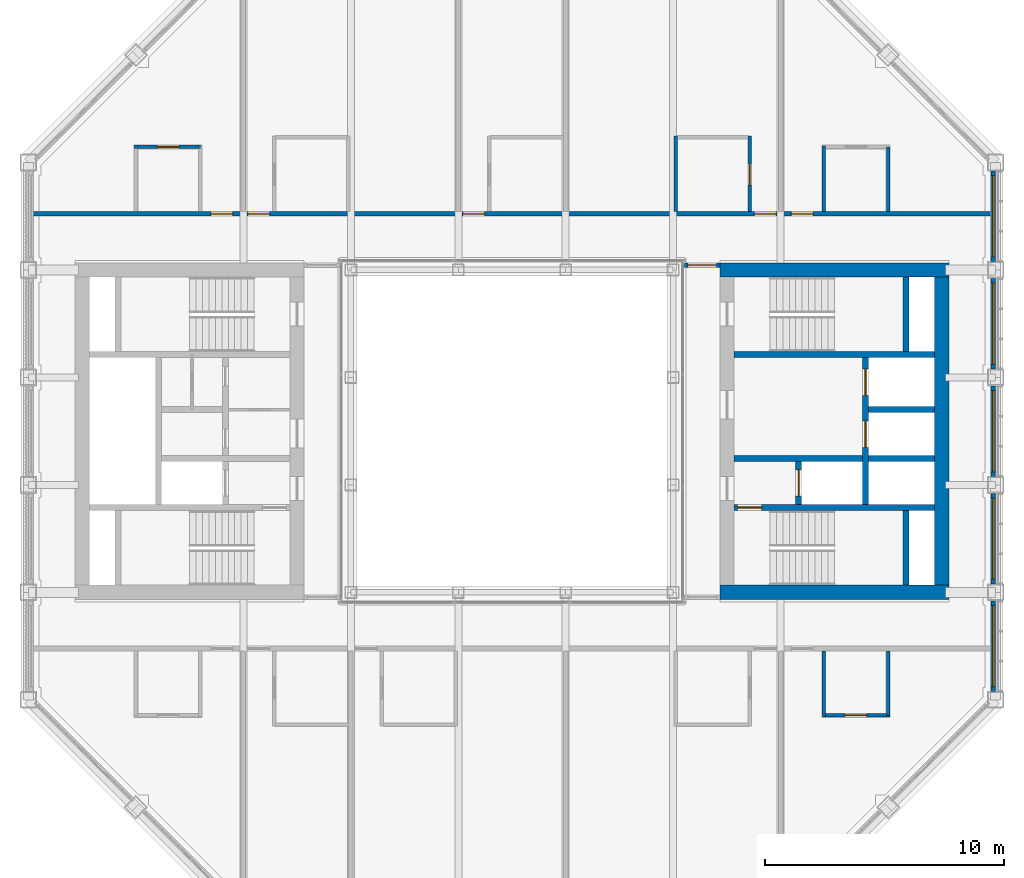
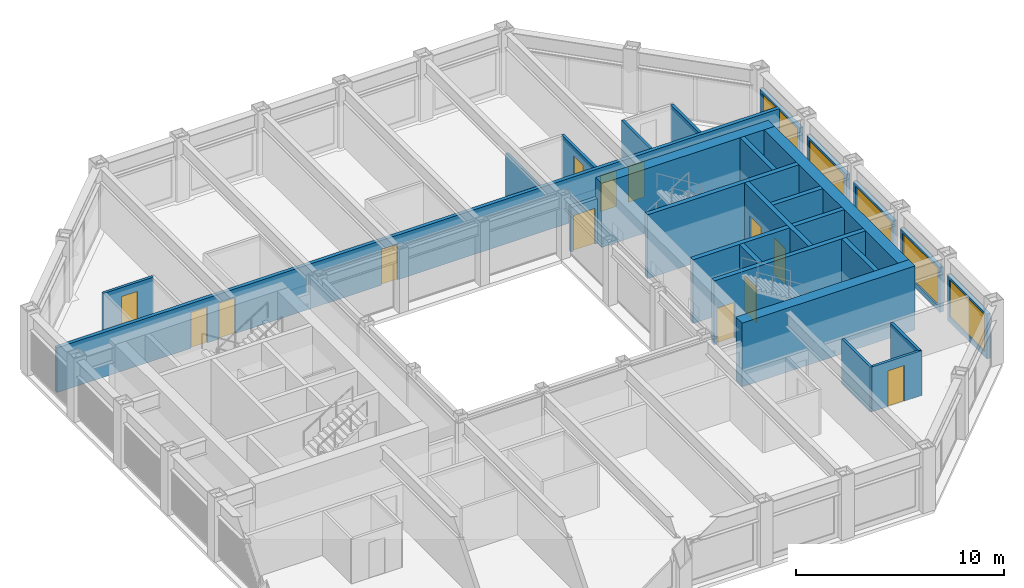
# One storey, part 11 of 16: 27 walls, 13 doors, 5 windows, 18 openings.
"""IFC4 building model written with IfcOpenShell, lengths in metres."""

import ifcopenshell
import ifcopenshell.guid

model = None  # the IFC model being written
_history = None  # IfcOwnerHistory: only IFC2X3 demands one
_inside = {}  # id of a spatial element -> (the spatial element, [elements in it])
_under = {}  # id of a project, library or spatial element -> (it, [spatial elements below it])
_declared = {}  # id of a project -> (the project, [libraries it declares])
_typed = {}  # id of a type object -> (the type object, [elements of that type])
_made_of = {}  # id of a material, layer set ... -> (it, [elements and type objects made of it])


def new_model(schema):
    """Start an empty IFC model of exactly this schema.

    Asked for "IFC4X3", IfcOpenShell would pick the latest addendum, in which some entities
    have other attributes; the version numbers below select the first issue.
    IFC2X3 requires an IfcOwnerHistory on every rooted entity: one is made here for all.
    """
    global model, _history
    if schema == "IFC4X3":
        model = ifcopenshell.file(schema_version=(4, 3, 0, 0))
    else:
        model = ifcopenshell.file(schema=schema)
    _inside.clear()
    _under.clear()
    _declared.clear()
    _typed.clear()
    _made_of.clear()
    _history = None
    if model.schema == "IFC2X3":
        org = make("IfcOrganization", Name="unknown")
        user = make(
            "IfcPersonAndOrganization",
            ThePerson=make("IfcPerson", FamilyName="unknown"),
            TheOrganization=org,
        )
        app = make(
            "IfcApplication",
            ApplicationDeveloper=org,
            Version="unknown",
            ApplicationFullName="unknown",
            ApplicationIdentifier="unknown",
        )
        _history = make(
            "IfcOwnerHistory",
            OwningUser=user,
            OwningApplication=app,
            ChangeAction="ADDED",
            CreationDate=0,
        )
    return model


def make(cls, **values):
    """One entity of the class cls with the attributes given. An attribute that is None is left unset."""
    return model.create_entity(
        cls, **{name: value for name, value in values.items() if value is not None}
    )


def rooted(cls, **values):
    """An entity with a GlobalId (a new one), such as an element, a storey or a relation."""
    return make(cls, GlobalId=ifcopenshell.guid.new(), OwnerHistory=_history, **values)


def si_unit(unit_type, name, prefix=None):
    """IfcSIUnit, for example si_unit("LENGTHUNIT", "METRE", prefix="MILLI")."""
    return make("IfcSIUnit", UnitType=unit_type, Prefix=prefix, Name=name)


def assignment(units):
    """IfcUnitAssignment: the units of a project."""
    return None if units is None else make("IfcUnitAssignment", Units=units)


def point(xyz):
    """IfcCartesianPoint."""
    return None if xyz is None else make("IfcCartesianPoint", Coordinates=xyz)


def direction(xyz):
    """IfcDirection."""
    return None if xyz is None else make("IfcDirection", DirectionRatios=xyz)


def frame(location, z_axis=None, x_axis=None):
    """IfcAxis2Placement3D, a coordinate frame: its origin and axes. An axis left out is left unset."""
    return make(
        "IfcAxis2Placement3D",
        Location=point(location),
        Axis=direction(z_axis),
        RefDirection=direction(x_axis),
    )


def frame_2d(location, x_axis=None):
    """IfcAxis2Placement2D, a coordinate frame in the plane: its origin and x axis."""
    return make(
        "IfcAxis2Placement2D", Location=point(location), RefDirection=direction(x_axis)
    )


def origin():
    """The frame at (0, 0, 0) with its axes left unset."""
    return frame((0.0, 0.0, 0.0))


def place(relative_to, where):
    """IfcLocalPlacement: puts the frame where relative to a parent placement (None: the world)."""
    return make(
        "IfcLocalPlacement", PlacementRelTo=relative_to, RelativePlacement=where
    )


def context(
    kind, dimensions, precision=None, world=None, true_north=None, identifier=None
):
    """IfcGeometricRepresentationContext, for example the 3D "Model" context."""
    return make(
        "IfcGeometricRepresentationContext",
        ContextIdentifier=identifier,
        ContextType=kind,
        CoordinateSpaceDimension=dimensions,
        Precision=precision,
        WorldCoordinateSystem=world,
        TrueNorth=true_north,
    )


def subcontext(parent, identifier, kind, view, scale=None):
    """IfcGeometricRepresentationSubContext, for example "Body" below "Model"."""
    return make(
        "IfcGeometricRepresentationSubContext",
        ContextIdentifier=identifier,
        ContextType=kind,
        ParentContext=parent,
        TargetScale=scale,
        TargetView=view,
    )


def project(units=None, contexts=None):
    """IfcProject with its units and contexts."""
    return rooted(
        "IfcProject",
        Name="project",
        RepresentationContexts=contexts,
        UnitsInContext=assignment(units),
    )


def spatial(cls, under=None, at=None, **own):
    """A site, building, storey or space (cls), placed at a placement, below another one or the project."""
    s = rooted(cls, ObjectPlacement=at, **own)
    if under is not None:
        _under.setdefault(under.id(), (under, []))[1].append(s)
    return s


def profile(cls, at=None, kind="AREA", **sizes):
    """A parametric profile (cls). Its sizes go by their IFC names, for example OverallWidth=200.0."""
    return make(cls, ProfileType=kind, Position=at, **sizes)


def rectangle(**sizes):
    """IfcRectangleProfileDef."""
    return profile("IfcRectangleProfileDef", **sizes)


def extrude(swept, where, along, depth):
    """IfcExtrudedAreaSolid: the profile swept, set in the frame where, extruded along a direction by depth."""
    return make(
        "IfcExtrudedAreaSolid",
        SweptArea=swept,
        Position=where,
        ExtrudedDirection=direction(along),
        Depth=depth,
    )


def shape(context_of_items, identifier, shape_type, items):
    """IfcShapeRepresentation: the items that make up one representation, for example the "Body"."""
    return make(
        "IfcShapeRepresentation",
        ContextOfItems=context_of_items,
        RepresentationIdentifier=identifier,
        RepresentationType=shape_type,
        Items=items,
    )


def material(Name=None, Category=None):
    """IfcMaterial."""
    return make("IfcMaterial", Name=Name, Category=Category)


def layer(
    of_material, thickness, ventilated=None, Name=None, Category=None, Priority=None
):
    """IfcMaterialLayer: one layer of a wall or slab, of a material (None: an air gap)."""
    return make(
        "IfcMaterialLayer",
        Material=of_material,
        LayerThickness=thickness,
        IsVentilated=ventilated,
        Name=Name,
        Category=Category,
        Priority=Priority,
    )


def layer_set(layers, Name=None):
    """IfcMaterialLayerSet."""
    return make("IfcMaterialLayerSet", MaterialLayers=layers, LayerSetName=Name)


def made_of(thing, what):
    """Note that an element or type object is made of a material, layer set ...; save() writes the relation."""
    if what is not None:
        _made_of.setdefault(what.id(), (what, []))[1].append(thing)
    return thing


def type_object(cls, material=None, **own):
    """A type object (cls), such as IfcWallType, which elements share."""
    return made_of(rooted(cls, **own), material)


def element(
    cls,
    number,
    at=None,
    inside=None,
    cuts=None,
    type_object=None,
    material=None,
    context=None,
    identifier="Body",
    shape_type=None,
    held_by="IfcProductDefinitionShape",
    body=None,
    shapes=None,
    **own,
):
    """One element of the class cls, such as IfcWall. Its Tag is "e" and its number.

    at: its placement. inside: the storey or other place that contains it. cuts: it is an
    opening in that element (IfcRelVoidsElement). A single representation is given by context,
    identifier, shape_type and body (its items); several are given by shapes. held_by: the class
    of the entity that holds the representations. save() writes the other relations.
    """
    e = rooted(cls, Tag="e%d" % number, ObjectPlacement=at, **own)
    if body is not None:
        shapes = [shape(context, identifier, shape_type, body)]
    if shapes is not None:
        e.Representation = make(held_by, Representations=shapes)
    if inside is not None:
        _inside.setdefault(inside.id(), (inside, []))[1].append(e)
    if cuts is not None:
        rooted(
            "IfcRelVoidsElement", RelatingBuildingElement=cuts, RelatedOpeningElement=e
        )
    if type_object is not None:
        _typed.setdefault(type_object.id(), (type_object, []))[1].append(e)
    return made_of(e, material)


def fill(opening, filler):
    """IfcRelFillsElement: the door or window that sits in an opening."""
    return rooted(
        "IfcRelFillsElement",
        RelatingOpeningElement=opening,
        RelatedBuildingElement=filler,
    )


def aggregate(whole, parts):
    """IfcRelAggregates: a whole, such as a stair, and the parts it consists of."""
    return rooted("IfcRelAggregates", RelatingObject=whole, RelatedObjects=parts)


def save(model, path):
    """Write the relations noted so far, then the file.

    IfcRelAggregates (storeys below a building ...), IfcRelContainedInSpatialStructure (elements
    in a storey), IfcRelDefinesByType, IfcRelAssociatesMaterial and IfcRelDeclares: one each for
    every whole, place, type object, material and project.
    """
    for whole, parts in _under.values():
        aggregate(whole, parts)
    for where, things in _inside.values():
        rooted(
            "IfcRelContainedInSpatialStructure",
            RelatedElements=things,
            RelatingStructure=where,
        )
    for kind, things in _typed.values():
        rooted("IfcRelDefinesByType", RelatedObjects=things, RelatingType=kind)
    for what, things in _made_of.values():
        rooted("IfcRelAssociatesMaterial", RelatedObjects=things, RelatingMaterial=what)
    for by, libraries in _declared.values():
        rooted("IfcRelDeclares", RelatingContext=by, RelatedDefinitions=libraries)
    model.write(path)


model = new_model("IFC4")

# Units and contexts
model_context = context("Model", 3, precision=1e-05, world=origin(), true_north=direction((0.0, 1.0)))
body_context = subcontext(model_context, "Body", "Model", "MODEL_VIEW")
ifc_project = project(units=[si_unit("LENGTHUNIT", "METRE"), si_unit("AREAUNIT", "SQUARE_METRE"), si_unit("VOLUMEUNIT", "CUBIC_METRE"), si_unit("PLANEANGLEUNIT", "RADIAN"), si_unit("MASSUNIT", "GRAM", prefix="KILO")], contexts=[model_context])

# Site, building, storey
site_placement = place(None, origin())
site = spatial("IfcSite", under=ifc_project, at=site_placement, CompositionType="ELEMENT")
building_placement = place(site_placement, origin())
building = spatial("IfcBuilding", under=site, at=building_placement, Name="Msasa Ring Tower", CompositionType="ELEMENT")
storey_placement = place(building_placement, frame((0.0, 0.0, 215.800048828125)))
storey = spatial("IfcBuildingStorey", under=building, at=storey_placement, Name="L56", CompositionType="ELEMENT", Elevation=215.800048828125)

# Walls
ifc_material_1 = material(Name="Concrete C60/75", Category="concrete")
ifc_layer_1 = layer(ifc_material_1, 0.60009765625)
ifc_layer_set_1 = layer_set([ifc_layer_1], Name="CW3 CORE WALL 600")
wall_type_1 = type_object("IfcWallType", Name="CW3 CORE WALL 600", PredefinedType="SHEAR", material=ifc_layer_set_1)
for number, where, z_axis, x_axis, name in (
    (1, (8.699951171875, -6.75, 0.0), (0.0, 0.0, 1.0), (1.0, 0.0, 0.0), "E core wall S L56"),
    (2, (8.699951171875, 6.75, 0.0), (0.0, 0.0, 1.0), (1.0, 0.0, 0.0), "E core wall N L56"),
):
    element("IfcWall", number, at=place(storey_placement, frame(where, z_axis=z_axis, x_axis=x_axis)), inside=storey, type_object=wall_type_1, Name=name, PredefinedType="SHEAR", context=body_context, shape_type="SweptSolid", body=[
        extrude(rectangle(XDim=9.60009765625, YDim=0.60009765625, at=frame_2d((4.800048828125, 0.0))), origin(), (0.0, 0.0, 1.0), 3.75),
    ])
wall_1_placement = place(storey_placement, frame((18.0, -6.449951171875, 0.0), z_axis=(0.0, 0.0, 1.0), x_axis=(0.0, 1.0, 0.0)))
element("IfcWall", 3, at=wall_1_placement, inside=storey, type_object=wall_type_1, Name="E core wall E L56", PredefinedType="SHEAR", context=body_context, shape_type="SweptSolid", body=[
    extrude(rectangle(XDim=12.89990234375, YDim=0.60009765625, at=frame_2d((6.449951171875, 0.0))), origin(), (0.0, 0.0, 1.0), 3.75),
])

# Wall, opening, door
ifc_material_2 = material(Name="Concrete C60/75", Category="concrete")
ifc_layer_2 = layer(ifc_material_2, 0.25)
ifc_layer_set_2 = layer_set([ifc_layer_2], Name="CW4 CORE INNER WALL 250")
wall_type_2 = type_object("IfcWallType", Name="CW4 CORE INNER WALL 250", PredefinedType="SHEAR", material=ifc_layer_set_2)
wall_2_placement = place(storey_placement, frame((9.300048828125, -3.199951171875, 0.0), z_axis=(0.0, 0.0, 1.0), x_axis=(1.0, 0.0, 0.0)))
wall_2 = element("IfcWall", 4, at=wall_2_placement, inside=storey, type_object=wall_type_2, Name="E core wall STAIRA L56", PredefinedType="SHEAR", context=body_context, shape_type="SweptSolid", body=[
    extrude(rectangle(XDim=8.39990234375, YDim=0.25, at=frame_2d((4.199951171875, 0.0))), origin(), (0.0, 0.0, 1.0), 3.75),
])
opening_1_placement = place(wall_2_placement, frame((0.14990234375, 0.0, 0.0)))
opening_1 = element("IfcOpeningElement", 5, at=opening_1_placement, cuts=wall_2, Name="Opening SB-024", PredefinedType="OPENING", context=body_context, shape_type="SweptSolid", body=[
    extrude(rectangle(XDim=1.0, YDim=2.10009765625, at=frame_2d((0.5, 1.050048828125))), frame((0.0, 0.135009765625, 0.0), z_axis=(0.0, -1.0, 0.0), x_axis=(1.0, 0.0, 0.0)), (0.0, 0.0, 1.0), 0.27001953125),
])
ifc_material_3 = material(Name="Timber door leaf in a steel frame", Category="steel")
door_type_1 = type_object("IfcDoorType", Name="D6 STAIR DOOR 1000x2100", OperationType="SINGLE_SWING_LEFT", PredefinedType="DOOR", material=ifc_material_3)
door_1_placement = place(opening_1_placement, origin())
door_1 = element("IfcDoor", 6, at=door_1_placement, inside=storey, type_object=door_type_1, Name="Door L56-ESTA", OperationType="SINGLE_SWING_LEFT", OverallHeight=2.10009765625, OverallWidth=1.0, PredefinedType="DOOR", context=body_context, shape_type="SweptSolid", body=[
    extrude(rectangle(XDim=1.0, YDim=2.10009765625, at=frame_2d((0.5, 1.050048828125))), frame((0.0, 0.02490234375, 0.0), z_axis=(0.0, -1.0, 0.0), x_axis=(1.0, 0.0, 0.0)), (0.0, 0.0, 1.0), 0.050048828125),
])
fill(opening_1, door_1)

# Walls
wall_3_placement = place(storey_placement, frame((9.300048828125, 3.199951171875, 0.0), z_axis=(0.0, 0.0, 1.0), x_axis=(1.0, 0.0, 0.0)))
element("IfcWall", 7, at=wall_3_placement, inside=storey, type_object=wall_type_2, Name="E core wall STAIRB L56", PredefinedType="SHEAR", context=body_context, shape_type="SweptSolid", body=[
    extrude(rectangle(XDim=8.39990234375, YDim=0.25, at=frame_2d((4.199951171875, 0.0))), origin(), (0.0, 0.0, 1.0), 3.75),
])
for number, where, z_axis, x_axis, name in (
    (8, (16.5, -6.449951171875, 0.0), (0.0, 0.0, 1.0), (0.0, 1.0, 0.0), "E core wall RISERA L56"),
    (9, (16.5, 3.324951171875, 0.0), (0.0, 0.0, 1.0), (0.0, 1.0, 0.0), "E core wall RISERB L56"),
):
    element("IfcWall", number, at=place(storey_placement, frame(where, z_axis=z_axis, x_axis=x_axis)), inside=storey, type_object=wall_type_2, Name=name, PredefinedType="SHEAR", context=body_context, shape_type="SweptSolid", body=[
        extrude(rectangle(XDim=3.125, YDim=0.25, at=frame_2d((1.5625, 0.0))), origin(), (0.0, 0.0, 1.0), 3.75),
    ])
wall_4_placement = place(storey_placement, frame((9.300048828125, -1.14990234375, 0.0), z_axis=(0.0, 0.0, 1.0), x_axis=(1.0, 0.0, 0.0)))
element("IfcWall", 10, at=wall_4_placement, inside=storey, type_object=wall_type_2, Name="E core wall FFL L56", PredefinedType="SHEAR", context=body_context, shape_type="SweptSolid", body=[
    extrude(rectangle(XDim=5.375, YDim=0.25, at=frame_2d((2.6875, 0.0))), origin(), (0.0, 0.0, 1.0), 3.75),
])

# Wall, opening, door
wall_5_placement = place(storey_placement, frame((12.0, -3.074951171875, 0.0), z_axis=(0.0, 0.0, 1.0), x_axis=(0.0, 1.0, 0.0)))
wall_5 = element("IfcWall", 11, at=wall_5_placement, inside=storey, type_object=wall_type_2, Name="E core wall LOBBY L56", PredefinedType="SHEAR", context=body_context, shape_type="SweptSolid", body=[
    extrude(rectangle(XDim=1.800048828125, YDim=0.25, at=frame_2d((0.89990234375, 0.0))), origin(), (0.0, 0.0, 1.0), 3.75),
])
opening_2_placement = place(wall_5_placement, frame((0.35009765625, 0.0, 0.0)))
opening_2 = element("IfcOpeningElement", 12, at=opening_2_placement, cuts=wall_5, Name="Opening LD1", PredefinedType="OPENING", context=body_context, shape_type="SweptSolid", body=[
    extrude(rectangle(XDim=1.10009765625, YDim=2.10009765625, at=frame_2d((0.550048828125, 1.050048828125))), frame((0.0, 0.135009765625, 0.0), z_axis=(0.0, -1.0, 0.0), x_axis=(1.0, 0.0, 0.0)), (0.0, 0.0, 1.0), 0.27001953125),
])
ifc_material_4 = material(Name="Stainless steel lift landing door", Category="steel")
door_type_2 = type_object("IfcDoorType", Name="LD1 LIFT LANDING DOOR 1100x2100", OperationType="DOUBLE_DOOR_SLIDING", PredefinedType="DOOR", material=ifc_material_4)
door_2_placement = place(opening_2_placement, origin())
door_2 = element("IfcDoor", 13, at=door_2_placement, inside=storey, type_object=door_type_2, Name="Lift landing door FL-E L56", OperationType="DOUBLE_DOOR_SLIDING", OverallHeight=2.10009765625, OverallWidth=1.10009765625, PredefinedType="DOOR", context=body_context, shape_type="SweptSolid", body=[
    extrude(rectangle(XDim=1.10009765625, YDim=2.10009765625, at=frame_2d((0.550048828125, 1.050048828125))), frame((0.0, 0.02490234375, 0.0), z_axis=(0.0, -1.0, 0.0), x_axis=(1.0, 0.0, 0.0)), (0.0, 0.0, 1.0), 0.050048828125),
])
fill(opening_2, door_2)

# Wall, openings, doors
wall_6_placement = place(storey_placement, frame((14.800048828125, -3.074951171875, 0.0), z_axis=(0.0, 0.0, 1.0), x_axis=(0.0, 1.0, 0.0)))
wall_6 = element("IfcWall", 14, at=wall_6_placement, inside=storey, type_object=wall_type_2, Name="E core wall SHAFT L56", PredefinedType="SHEAR", context=body_context, shape_type="SweptSolid", body=[
    extrude(rectangle(XDim=6.14990234375, YDim=0.25, at=frame_2d((3.074951171875, 0.0))), origin(), (0.0, 0.0, 1.0), 3.75),
])
opening_3_placement = place(wall_6_placement, frame((2.39990234375, 0.0, 0.0)))
opening_3 = element("IfcOpeningElement", 15, at=opening_3_placement, cuts=wall_6, Name="Opening LD1", PredefinedType="OPENING", context=body_context, shape_type="SweptSolid", body=[
    extrude(rectangle(XDim=1.10009765625, YDim=2.10009765625, at=frame_2d((0.550048828125, 1.050048828125))), frame((0.0, 0.135009765625, 0.0), z_axis=(0.0, -1.0, 0.0), x_axis=(1.0, 0.0, 0.0)), (0.0, 0.0, 1.0), 0.27001953125),
])
opening_4_placement = place(wall_6_placement, frame((4.574951171875, 0.0, 0.0)))
opening_4 = element("IfcOpeningElement", 16, at=opening_4_placement, cuts=wall_6, Name="Opening LD1", PredefinedType="OPENING", context=body_context, shape_type="SweptSolid", body=[
    extrude(rectangle(XDim=1.10009765625, YDim=2.10009765625, at=frame_2d((0.550048828125, 1.050048828125))), frame((0.0, 0.135009765625, 0.0), z_axis=(0.0, -1.0, 0.0), x_axis=(1.0, 0.0, 0.0)), (0.0, 0.0, 1.0), 0.27001953125),
])
door_3_placement = place(opening_3_placement, origin())
door_3 = element("IfcDoor", 17, at=door_3_placement, inside=storey, type_object=door_type_2, Name="Lift landing door PL-H1 L56", OperationType="DOUBLE_DOOR_SLIDING", OverallHeight=2.10009765625, OverallWidth=1.10009765625, PredefinedType="DOOR", context=body_context, shape_type="SweptSolid", body=[
    extrude(rectangle(XDim=1.10009765625, YDim=2.10009765625, at=frame_2d((0.550048828125, 1.050048828125))), frame((0.0, 0.02490234375, 0.0), z_axis=(0.0, -1.0, 0.0), x_axis=(1.0, 0.0, 0.0)), (0.0, 0.0, 1.0), 0.050048828125),
])
fill(opening_3, door_3)
door_4_placement = place(opening_4_placement, origin())
door_4 = element("IfcDoor", 18, at=door_4_placement, inside=storey, type_object=door_type_2, Name="Lift landing door PL-H2 L56", OperationType="DOUBLE_DOOR_SLIDING", OverallHeight=2.10009765625, OverallWidth=1.10009765625, PredefinedType="DOOR", context=body_context, shape_type="SweptSolid", body=[
    extrude(rectangle(XDim=1.10009765625, YDim=2.10009765625, at=frame_2d((0.550048828125, 1.050048828125))), frame((0.0, 0.02490234375, 0.0), z_axis=(0.0, -1.0, 0.0), x_axis=(1.0, 0.0, 0.0)), (0.0, 0.0, 1.0), 0.050048828125),
])
fill(opening_4, door_4)

# Walls
for number, where, z_axis, x_axis, name in (
    (19, (14.925048828125, -1.14990234375, 0.0), (0.0, 0.0, 1.0), (1.0, 0.0, 0.0), "E core wall HSEP L56"),
    (20, (14.925048828125, 0.89990234375, 0.0), (0.0, 0.0, 1.0), (1.0, 0.0, 0.0), "E core wall HLIFT L56"),
):
    element("IfcWall", number, at=place(storey_placement, frame(where, z_axis=z_axis, x_axis=x_axis)), inside=storey, type_object=wall_type_2, Name=name, PredefinedType="SHEAR", context=body_context, shape_type="SweptSolid", body=[
        extrude(rectangle(XDim=2.77490234375, YDim=0.25, at=frame_2d((1.387451171875, 0.0))), origin(), (0.0, 0.0, 1.0), 3.75),
    ])

# Wall, opening, window
ifc_material_5 = material(Name="Terracotta rainscreen on blockwork", Category="masonry")
ifc_layer_3 = layer(ifc_material_5, 0.199951171875)
ifc_layer_set_3 = layer_set([ifc_layer_3], Name="FW1 TERRACOTTA-LINED INFILL BAY WALL 200")
wall_type_3 = type_object("IfcWallType", Name="FW1 TERRACOTTA-LINED INFILL BAY WALL 200", PredefinedType="SOLIDWALL", material=ifc_layer_set_3)
wall_7_placement = place(storey_placement, frame((20.14990234375, -10.89501953125, 0.0), z_axis=(0.0, 0.0, 1.0), x_axis=(0.0, 1.0, 0.0)))
wall_7 = element("IfcWall", 21, at=wall_7_placement, inside=storey, type_object=wall_type_3, Name="Infill bay wall E L56 07", PredefinedType="SOLIDWALL", context=body_context, shape_type="SweptSolid", body=[
    extrude(rectangle(XDim=3.7900390625, YDim=0.199951171875, at=frame_2d((1.89501953125, 0.0))), origin(), (0.0, 0.0, 1.0), 2.62890625),
])
opening_5_placement = place(wall_7_placement, frame((0.195068359375, 0.0, 0.300048828125)))
opening_5 = element("IfcOpeningElement", 22, at=opening_5_placement, cuts=wall_7, Name="Opening WN3", PredefinedType="OPENING", context=body_context, shape_type="SweptSolid", body=[
    extrude(rectangle(XDim=3.39990234375, YDim=2.178955078125, at=frame_2d((1.699951171875, 1.08935546875))), frame((0.0, 0.10986328125, 0.0), z_axis=(0.0, -1.0, 0.0), x_axis=(1.0, 0.0, 0.0)), (0.0, 0.0, 1.0), 0.219970703125),
])
ifc_material_6 = material(Name="Aluminium frame with clear glass", Category="aluminium")
window_type = type_object("IfcWindowType", Name="WN3 SUITE WINDOW 3400x2179", PartitioningType="SINGLE_PANEL", PredefinedType="WINDOW", material=ifc_material_6)
window_1_placement = place(opening_5_placement, origin())
window_1 = element("IfcWindow", 23, at=window_1_placement, inside=storey, type_object=window_type, Name="Window E L56 07", OverallHeight=2.178955078125, OverallWidth=3.39990234375, PartitioningType="SINGLE_PANEL", PredefinedType="WINDOW", context=body_context, shape_type="SweptSolid", body=[
    extrude(rectangle(XDim=3.39990234375, YDim=2.178955078125, at=frame_2d((1.699951171875, 1.08935546875))), frame((0.0, 0.030029296875, 0.0), z_axis=(0.0, -1.0, 0.0), x_axis=(1.0, 0.0, 0.0)), (0.0, 0.0, 1.0), 0.06005859375),
])
fill(opening_5, window_1)

wall_8_placement = place(storey_placement, frame((20.14990234375, -6.39501953125, 0.0), z_axis=(0.0, 0.0, 1.0), x_axis=(0.0, 1.0, 0.0)))
wall_8 = element("IfcWall", 24, at=wall_8_placement, inside=storey, type_object=wall_type_3, Name="Infill bay wall E L56 08", PredefinedType="SOLIDWALL", context=body_context, shape_type="SweptSolid", body=[
    extrude(rectangle(XDim=3.7900390625, YDim=0.199951171875, at=frame_2d((1.89501953125, 0.0))), origin(), (0.0, 0.0, 1.0), 2.62890625),
])
opening_6_placement = place(wall_8_placement, frame((0.195068359375, 0.0, 0.300048828125)))
opening_6 = element("IfcOpeningElement", 25, at=opening_6_placement, cuts=wall_8, Name="Opening WN3", PredefinedType="OPENING", context=body_context, shape_type="SweptSolid", body=[
    extrude(rectangle(XDim=3.39990234375, YDim=2.178955078125, at=frame_2d((1.699951171875, 1.08935546875))), frame((0.0, 0.10986328125, 0.0), z_axis=(0.0, -1.0, 0.0), x_axis=(1.0, 0.0, 0.0)), (0.0, 0.0, 1.0), 0.219970703125),
])
window_2_placement = place(opening_6_placement, origin())
window_2 = element("IfcWindow", 26, at=window_2_placement, inside=storey, type_object=window_type, Name="Window E L56 08", OverallHeight=2.178955078125, OverallWidth=3.39990234375, PartitioningType="SINGLE_PANEL", PredefinedType="WINDOW", context=body_context, shape_type="SweptSolid", body=[
    extrude(rectangle(XDim=3.39990234375, YDim=2.178955078125, at=frame_2d((1.699951171875, 1.08935546875))), frame((0.0, 0.030029296875, 0.0), z_axis=(0.0, -1.0, 0.0), x_axis=(1.0, 0.0, 0.0)), (0.0, 0.0, 1.0), 0.06005859375),
])
fill(opening_6, window_2)

wall_9_placement = place(storey_placement, frame((20.14990234375, -1.89501953125, 0.0), z_axis=(0.0, 0.0, 1.0), x_axis=(0.0, 1.0, 0.0)))
wall_9 = element("IfcWall", 27, at=wall_9_placement, inside=storey, type_object=wall_type_3, Name="Infill bay wall E L56 09", PredefinedType="SOLIDWALL", context=body_context, shape_type="SweptSolid", body=[
    extrude(rectangle(XDim=3.7900390625, YDim=0.199951171875, at=frame_2d((1.89501953125, 0.0))), origin(), (0.0, 0.0, 1.0), 2.62890625),
])
opening_7_placement = place(wall_9_placement, frame((0.195068359375, 0.0, 0.300048828125)))
opening_7 = element("IfcOpeningElement", 28, at=opening_7_placement, cuts=wall_9, Name="Opening WN3", PredefinedType="OPENING", context=body_context, shape_type="SweptSolid", body=[
    extrude(rectangle(XDim=3.39990234375, YDim=2.178955078125, at=frame_2d((1.699951171875, 1.08935546875))), frame((0.0, 0.10986328125, 0.0), z_axis=(0.0, -1.0, 0.0), x_axis=(1.0, 0.0, 0.0)), (0.0, 0.0, 1.0), 0.219970703125),
])
window_3_placement = place(opening_7_placement, origin())
window_3 = element("IfcWindow", 29, at=window_3_placement, inside=storey, type_object=window_type, Name="Window E L56 09", OverallHeight=2.178955078125, OverallWidth=3.39990234375, PartitioningType="SINGLE_PANEL", PredefinedType="WINDOW", context=body_context, shape_type="SweptSolid", body=[
    extrude(rectangle(XDim=3.39990234375, YDim=2.178955078125, at=frame_2d((1.699951171875, 1.08935546875))), frame((0.0, 0.030029296875, 0.0), z_axis=(0.0, -1.0, 0.0), x_axis=(1.0, 0.0, 0.0)), (0.0, 0.0, 1.0), 0.06005859375),
])
fill(opening_7, window_3)

wall_10_placement = place(storey_placement, frame((20.14990234375, 2.60498046875, 0.0), z_axis=(0.0, 0.0, 1.0), x_axis=(0.0, 1.0, 0.0)))
wall_10 = element("IfcWall", 30, at=wall_10_placement, inside=storey, type_object=wall_type_3, Name="Infill bay wall E L56 10", PredefinedType="SOLIDWALL", context=body_context, shape_type="SweptSolid", body=[
    extrude(rectangle(XDim=3.7900390625, YDim=0.199951171875, at=frame_2d((1.89501953125, 0.0))), origin(), (0.0, 0.0, 1.0), 2.62890625),
])
opening_8_placement = place(wall_10_placement, frame((0.195068359375, 0.0, 0.300048828125)))
opening_8 = element("IfcOpeningElement", 31, at=opening_8_placement, cuts=wall_10, Name="Opening WN3", PredefinedType="OPENING", context=body_context, shape_type="SweptSolid", body=[
    extrude(rectangle(XDim=3.39990234375, YDim=2.178955078125, at=frame_2d((1.699951171875, 1.08935546875))), frame((0.0, 0.10986328125, 0.0), z_axis=(0.0, -1.0, 0.0), x_axis=(1.0, 0.0, 0.0)), (0.0, 0.0, 1.0), 0.219970703125),
])
window_4_placement = place(opening_8_placement, origin())
window_4 = element("IfcWindow", 32, at=window_4_placement, inside=storey, type_object=window_type, Name="Window E L56 10", OverallHeight=2.178955078125, OverallWidth=3.39990234375, PartitioningType="SINGLE_PANEL", PredefinedType="WINDOW", context=body_context, shape_type="SweptSolid", body=[
    extrude(rectangle(XDim=3.39990234375, YDim=2.178955078125, at=frame_2d((1.699951171875, 1.08935546875))), frame((0.0, 0.030029296875, 0.0), z_axis=(0.0, -1.0, 0.0), x_axis=(1.0, 0.0, 0.0)), (0.0, 0.0, 1.0), 0.06005859375),
])
fill(opening_8, window_4)

wall_11_placement = place(storey_placement, frame((20.14990234375, 7.10498046875, 0.0), z_axis=(0.0, 0.0, 1.0), x_axis=(0.0, 1.0, 0.0)))
wall_11 = element("IfcWall", 33, at=wall_11_placement, inside=storey, type_object=wall_type_3, Name="Infill bay wall E L56 11", PredefinedType="SOLIDWALL", context=body_context, shape_type="SweptSolid", body=[
    extrude(rectangle(XDim=3.7900390625, YDim=0.199951171875, at=frame_2d((1.89501953125, 0.0))), origin(), (0.0, 0.0, 1.0), 2.62890625),
])
opening_9_placement = place(wall_11_placement, frame((0.195068359375, 0.0, 0.300048828125)))
opening_9 = element("IfcOpeningElement", 34, at=opening_9_placement, cuts=wall_11, Name="Opening WN3", PredefinedType="OPENING", context=body_context, shape_type="SweptSolid", body=[
    extrude(rectangle(XDim=3.39990234375, YDim=2.178955078125, at=frame_2d((1.699951171875, 1.08935546875))), frame((0.0, 0.10986328125, 0.0), z_axis=(0.0, -1.0, 0.0), x_axis=(1.0, 0.0, 0.0)), (0.0, 0.0, 1.0), 0.219970703125),
])
window_5_placement = place(opening_9_placement, origin())
window_5 = element("IfcWindow", 35, at=window_5_placement, inside=storey, type_object=window_type, Name="Window E L56 11", OverallHeight=2.178955078125, OverallWidth=3.39990234375, PartitioningType="SINGLE_PANEL", PredefinedType="WINDOW", context=body_context, shape_type="SweptSolid", body=[
    extrude(rectangle(XDim=3.39990234375, YDim=2.178955078125, at=frame_2d((1.699951171875, 1.08935546875))), frame((0.0, 0.030029296875, 0.0), z_axis=(0.0, -1.0, 0.0), x_axis=(1.0, 0.0, 0.0)), (0.0, 0.0, 1.0), 0.06005859375),
])
fill(opening_9, window_5)

# Wall, opening, door
ifc_material_7 = material(Name="Concrete blockwork", Category="masonry")
ifc_layer_4 = layer(ifc_material_7, 0.199951171875)
ifc_layer_set_4 = layer_set([ifc_layer_4], Name="PT1 CORRIDOR WALL 200")
wall_type_4 = type_object("IfcWallType", Name="PT1 CORRIDOR WALL 200", PredefinedType="PARTITIONING", material=ifc_layer_set_4)
wall_12_placement = place(storey_placement, frame((7.22998046875, 6.949951171875, 0.0), z_axis=(0.0, 0.0, 1.0), x_axis=(1.0, 0.0, 0.0)))
wall_12 = element("IfcWall", 36, at=wall_12_placement, inside=storey, type_object=wall_type_4, Name="Corridor wall L56-SDEN", PredefinedType="PARTITIONING", context=body_context, shape_type="SweptSolid", body=[
    extrude(rectangle(XDim=1.469970703125, YDim=0.199951171875, at=frame_2d((0.73486328125, 0.0))), origin(), (0.0, 0.0, 1.0), 2.62890625),
])
opening_10_placement = place(wall_12_placement, frame((0.135009765625, 0.0, 0.0)))
opening_10 = element("IfcOpeningElement", 37, at=opening_10_placement, cuts=wall_12, Name="Opening SB-012", PredefinedType="OPENING", context=body_context, shape_type="SweptSolid", body=[
    extrude(rectangle(XDim=1.199951171875, YDim=2.10009765625, at=frame_2d((0.60009765625, 1.050048828125))), frame((0.0, 0.10986328125, 0.0), z_axis=(0.0, -1.0, 0.0), x_axis=(1.0, 0.0, 0.0)), (0.0, 0.0, 1.0), 0.219970703125),
])
ifc_material_8 = material(Name="Timber door leaf in a steel frame", Category="steel")
door_type_3 = type_object("IfcDoorType", Name="D25 CORRIDOR PAIR OF SMOKE DOORS 1200x2100", OperationType="DOUBLE_DOOR_DOUBLE_SWING", PredefinedType="DOOR", material=ifc_material_8)
door_5_placement = place(opening_10_placement, origin())
door_5 = element("IfcDoor", 38, at=door_5_placement, inside=storey, type_object=door_type_3, Name="Door L56-SDEN", OperationType="DOUBLE_DOOR_DOUBLE_SWING", OverallHeight=2.10009765625, OverallWidth=1.199951171875, PredefinedType="DOOR", context=body_context, shape_type="SweptSolid", body=[
    extrude(rectangle(XDim=1.199951171875, YDim=2.10009765625, at=frame_2d((0.60009765625, 1.050048828125))), frame((0.0, 0.02490234375, 0.0), z_axis=(0.0, -1.0, 0.0), x_axis=(1.0, 0.0, 0.0)), (0.0, 0.0, 1.0), 0.050048828125),
])
fill(opening_10, door_5)

# Wall, openings, doors
wall_13_placement = place(storey_placement, frame((-20.050048828125, 9.10009765625, 0.0), z_axis=(0.0, 0.0, 1.0), x_axis=(1.0, 0.0, 0.0)))
wall_13 = element("IfcWall", 39, at=wall_13_placement, inside=storey, type_object=wall_type_4, Name="Corridor wall L56-CORRN0", PredefinedType="PARTITIONING", context=body_context, shape_type="SweptSolid", body=[
    extrude(rectangle(XDim=40.10009765625, YDim=0.199951171875, at=frame_2d((20.050048828125, 0.0))), origin(), (0.0, 0.0, 1.0), 2.62890625),
])
opening_11_placement = place(wall_13_placement, frame((9.0, 0.0, 0.0)))
opening_11 = element("IfcOpeningElement", 40, at=opening_11_placement, cuts=wall_13, Name="Opening SB-007", PredefinedType="OPENING", context=body_context, shape_type="SweptSolid", body=[
    extrude(rectangle(XDim=0.89990234375, YDim=2.10009765625, at=frame_2d((0.449951171875, 1.050048828125))), frame((0.0, 0.10986328125, 0.0), z_axis=(0.0, -1.0, 0.0), x_axis=(1.0, 0.0, 0.0)), (0.0, 0.0, 1.0), 0.219970703125),
])
opening_12_placement = place(wall_13_placement, frame((18.0, 0.0, 0.0)))
opening_12 = element("IfcOpeningElement", 41, at=opening_12_placement, cuts=wall_13, Name="Opening SB-008", PredefinedType="OPENING", context=body_context, shape_type="SweptSolid", body=[
    extrude(rectangle(XDim=0.89990234375, YDim=2.10009765625, at=frame_2d((0.449951171875, 1.050048828125))), frame((0.0, 0.10986328125, 0.0), z_axis=(0.0, -1.0, 0.0), x_axis=(1.0, 0.0, 0.0)), (0.0, 0.0, 1.0), 0.219970703125),
])
opening_13_placement = place(wall_13_placement, frame((30.199951171875, 0.0, 0.0)))
opening_13 = element("IfcOpeningElement", 42, at=opening_13_placement, cuts=wall_13, Name="Opening SB-009", PredefinedType="OPENING", context=body_context, shape_type="SweptSolid", body=[
    extrude(rectangle(XDim=0.89990234375, YDim=2.10009765625, at=frame_2d((0.449951171875, 1.050048828125))), frame((0.0, 0.10986328125, 0.0), z_axis=(0.0, -1.0, 0.0), x_axis=(1.0, 0.0, 0.0)), (0.0, 0.0, 1.0), 0.219970703125),
])
opening_14_placement = place(wall_13_placement, frame((31.75, 0.0, 0.0)))
opening_14 = element("IfcOpeningElement", 43, at=opening_14_placement, cuts=wall_13, Name="Opening SB-010", PredefinedType="OPENING", context=body_context, shape_type="SweptSolid", body=[
    extrude(rectangle(XDim=0.89990234375, YDim=2.10009765625, at=frame_2d((0.449951171875, 1.050048828125))), frame((0.0, 0.10986328125, 0.0), z_axis=(0.0, -1.0, 0.0), x_axis=(1.0, 0.0, 0.0)), (0.0, 0.0, 1.0), 0.219970703125),
])
opening_15_placement = place(wall_13_placement, frame((7.449951171875, 0.0, 0.0)))
opening_15 = element("IfcOpeningElement", 44, at=opening_15_placement, cuts=wall_13, Name="Opening SB-006", PredefinedType="OPENING", context=body_context, shape_type="SweptSolid", body=[
    extrude(rectangle(XDim=0.89990234375, YDim=2.10009765625, at=frame_2d((0.449951171875, 1.050048828125))), frame((0.0, 0.10986328125, 0.0), z_axis=(0.0, -1.0, 0.0), x_axis=(1.0, 0.0, 0.0)), (0.0, 0.0, 1.0), 0.219970703125),
])
ifc_material_9 = material(Name="Timber door leaf in a steel frame", Category="steel")
door_type_4 = type_object("IfcDoorType", Name="D1 SINGLE DOOR TO CORRIDOR 900x2100", OperationType="SINGLE_SWING_LEFT", PredefinedType="DOOR", material=ifc_material_9)
door_6_placement = place(opening_11_placement, origin())
door_6 = element("IfcDoor", 45, at=door_6_placement, inside=storey, type_object=door_type_4, Name="Door L56-JN00", OperationType="SINGLE_SWING_LEFT", OverallHeight=2.10009765625, OverallWidth=0.89990234375, PredefinedType="DOOR", context=body_context, shape_type="SweptSolid", body=[
    extrude(rectangle(XDim=0.89990234375, YDim=2.10009765625, at=frame_2d((0.449951171875, 1.050048828125))), frame((0.0, 0.02490234375, 0.0), z_axis=(0.0, -1.0, 0.0), x_axis=(1.0, 0.0, 0.0)), (0.0, 0.0, 1.0), 0.050048828125),
])
fill(opening_11, door_6)
door_7_placement = place(opening_12_placement, origin())
door_7 = element("IfcDoor", 46, at=door_7_placement, inside=storey, type_object=door_type_4, Name="Door L56-JN01", OperationType="SINGLE_SWING_LEFT", OverallHeight=2.10009765625, OverallWidth=0.89990234375, PredefinedType="DOOR", context=body_context, shape_type="SweptSolid", body=[
    extrude(rectangle(XDim=0.89990234375, YDim=2.10009765625, at=frame_2d((0.449951171875, 1.050048828125))), frame((0.0, 0.02490234375, 0.0), z_axis=(0.0, -1.0, 0.0), x_axis=(1.0, 0.0, 0.0)), (0.0, 0.0, 1.0), 0.050048828125),
])
fill(opening_12, door_7)
door_8_placement = place(opening_13_placement, origin())
door_8 = element("IfcDoor", 47, at=door_8_placement, inside=storey, type_object=door_type_4, Name="Door L56-JN02", OperationType="SINGLE_SWING_RIGHT", OverallHeight=2.10009765625, OverallWidth=0.89990234375, PredefinedType="DOOR", context=body_context, shape_type="SweptSolid", body=[
    extrude(rectangle(XDim=0.89990234375, YDim=2.10009765625, at=frame_2d((0.449951171875, 1.050048828125))), frame((0.0, 0.02490234375, 0.0), z_axis=(0.0, -1.0, 0.0), x_axis=(1.0, 0.0, 0.0)), (0.0, 0.0, 1.0), 0.050048828125),
])
fill(opening_13, door_8)
ifc_material_10 = material(Name="Timber door leaf in a steel frame", Category="steel")
door_type_5 = type_object("IfcDoorType", Name="D2 ENTRANCE DOOR 900x2100", OperationType="SINGLE_SWING_LEFT", PredefinedType="DOOR", material=ifc_material_10)
door_9_placement = place(opening_14_placement, origin())
door_9 = element("IfcDoor", 48, at=door_9_placement, inside=storey, type_object=door_type_5, Name="Door L56-CSNE", OperationType="SINGLE_SWING_RIGHT", OverallHeight=2.10009765625, OverallWidth=0.89990234375, PredefinedType="DOOR", context=body_context, shape_type="SweptSolid", body=[
    extrude(rectangle(XDim=0.89990234375, YDim=2.10009765625, at=frame_2d((0.449951171875, 1.050048828125))), frame((0.0, 0.02490234375, 0.0), z_axis=(0.0, -1.0, 0.0), x_axis=(1.0, 0.0, 0.0)), (0.0, 0.0, 1.0), 0.050048828125),
])
fill(opening_14, door_9)
door_10_placement = place(opening_15_placement, origin())
door_10 = element("IfcDoor", 49, at=door_10_placement, inside=storey, type_object=door_type_5, Name="Door L56-CSNW", OperationType="SINGLE_SWING_LEFT", OverallHeight=2.10009765625, OverallWidth=0.89990234375, PredefinedType="DOOR", context=body_context, shape_type="SweptSolid", body=[
    extrude(rectangle(XDim=0.89990234375, YDim=2.10009765625, at=frame_2d((0.449951171875, 1.050048828125))), frame((0.0, 0.02490234375, 0.0), z_axis=(0.0, -1.0, 0.0), x_axis=(1.0, 0.0, 0.0)), (0.0, 0.0, 1.0), 0.050048828125),
])
fill(opening_15, door_10)

# Wall, opening, door
ifc_material_11 = material(Name="Moisture-resistant board on steel studs with a concealed cistern and pipe void, tiled", Category="steel")
ifc_layer_5 = layer(ifc_material_11, 0.14990234375)
ifc_layer_set_5 = layer_set([ifc_layer_5], Name="PT4 BATHROOM WET WALL 150")
wall_type_5 = type_object("IfcWallType", Name="PT4 BATHROOM WET WALL 150", PredefinedType="PARTITIONING", material=ifc_layer_set_5)
wall_14_placement = place(storey_placement, frame((9.949951171875, 9.199951171875, 0.0), z_axis=(0.0, 0.0, 1.0), x_axis=(0.0, 1.0, 0.0)))
wall_14 = element("IfcWall", 50, at=wall_14_placement, inside=storey, type_object=wall_type_5, Name="Partition L56-JN02BX", PredefinedType="PARTITIONING", context=body_context, shape_type="SweptSolid", body=[
    extrude(rectangle(XDim=3.150146484375, YDim=0.14990234375, at=frame_2d((1.5751953125, 0.0))), origin(), (0.0, 0.0, 1.0), 2.62890625),
])
opening_16_placement = place(wall_14_placement, frame((1.10009765625, 0.0, 0.0)))
opening_16 = element("IfcOpeningElement", 51, at=opening_16_placement, cuts=wall_14, Name="Opening SB-005", PredefinedType="OPENING", context=body_context, shape_type="SweptSolid", body=[
    extrude(rectangle(XDim=0.89990234375, YDim=2.10009765625, at=frame_2d((0.449951171875, 1.050048828125))), frame((0.0, 0.0849609375, 0.0), z_axis=(0.0, -1.0, 0.0), x_axis=(1.0, 0.0, 0.0)), (0.0, 0.0, 1.0), 0.169921875),
])
ifc_material_12 = material(Name="Timber door leaf in a steel frame", Category="steel")
door_type_6 = type_object("IfcDoorType", Name="D3 BATHROOM DOOR 900x2100", OperationType="SINGLE_SWING_LEFT", PredefinedType="DOOR", material=ifc_material_12)
door_11_placement = place(opening_16_placement, origin())
door_11 = element("IfcDoor", 52, at=door_11_placement, inside=storey, type_object=door_type_6, Name="Door L56-JN02B", OperationType="SINGLE_SWING_LEFT", OverallHeight=2.10009765625, OverallWidth=0.89990234375, PredefinedType="DOOR", context=body_context, shape_type="SweptSolid", body=[
    extrude(rectangle(XDim=0.89990234375, YDim=2.10009765625, at=frame_2d((0.449951171875, 1.050048828125))), frame((0.0, 0.02490234375, 0.0), z_axis=(0.0, -1.0, 0.0), x_axis=(1.0, 0.0, 0.0)), (0.0, 0.0, 1.0), 0.050048828125),
])
fill(opening_16, door_11)

# Walls
wall_15_placement = place(storey_placement, frame((6.85009765625, 9.199951171875, 0.0), z_axis=(0.0, 0.0, 1.0), x_axis=(0.0, 1.0, 0.0)))
element("IfcWall", 53, at=wall_15_placement, inside=storey, type_object=wall_type_5, Name="Partition L56-JN02BF", PredefinedType="PARTITIONING", context=body_context, shape_type="SweptSolid", body=[
    extrude(rectangle(XDim=3.150146484375, YDim=0.14990234375, at=frame_2d((1.5751953125, 0.0))), origin(), (0.0, 0.0, 1.0), 2.62890625),
])
wall_16_placement = place(storey_placement, frame((13.050048828125, 9.199951171875, 0.0), z_axis=(0.0, 0.0, 1.0), x_axis=(0.0, 1.0, 0.0)))
element("IfcWall", 54, at=wall_16_placement, inside=storey, type_object=wall_type_5, Name="Partition L56-CSNEBX", PredefinedType="PARTITIONING", context=body_context, shape_type="SweptSolid", body=[
    extrude(rectangle(XDim=2.75, YDim=0.14990234375, at=frame_2d((1.375, 0.0))), origin(), (0.0, 0.0, 1.0), 2.62890625),
])
wall_17_placement = place(storey_placement, frame((15.75, 9.199951171875, 0.0), z_axis=(0.0, 0.0, 1.0), x_axis=(0.0, 1.0, 0.0)))
element("IfcWall", 55, at=wall_17_placement, inside=storey, type_object=wall_type_5, Name="Partition L56-CSNEBE", PredefinedType="PARTITIONING", context=body_context, shape_type="SweptSolid", body=[
    extrude(rectangle(XDim=2.699951171875, YDim=0.14990234375, at=frame_2d((1.35009765625, 0.0))), origin(), (0.0, 0.0, 1.0), 2.62890625),
])

# Wall, opening, door
wall_18_placement = place(storey_placement, frame((-15.824951171875, 11.89990234375, 0.0), z_axis=(0.0, 0.0, 1.0), x_axis=(1.0, 0.0, 0.0)))
wall_18 = element("IfcWall", 56, at=wall_18_placement, inside=storey, type_object=wall_type_5, Name="Partition L56-CSNWBY", PredefinedType="PARTITIONING", context=body_context, shape_type="SweptSolid", body=[
    extrude(rectangle(XDim=2.77490234375, YDim=0.14990234375, at=frame_2d((1.387451171875, 0.0))), origin(), (0.0, 0.0, 1.0), 2.62890625),
])
opening_17_placement = place(wall_18_placement, frame((0.97509765625, 0.0, 0.0)))
opening_17 = element("IfcOpeningElement", 57, at=opening_17_placement, cuts=wall_18, Name="Opening SB-001", PredefinedType="OPENING", context=body_context, shape_type="SweptSolid", body=[
    extrude(rectangle(XDim=0.89990234375, YDim=2.10009765625, at=frame_2d((0.449951171875, 1.050048828125))), frame((0.0, 0.0849609375, 0.0), z_axis=(0.0, -1.0, 0.0), x_axis=(1.0, 0.0, 0.0)), (0.0, 0.0, 1.0), 0.169921875),
])
door_12_placement = place(opening_17_placement, origin())
door_12 = element("IfcDoor", 58, at=door_12_placement, inside=storey, type_object=door_type_6, Name="Door L56-CSNWB1", OperationType="SINGLE_SWING_RIGHT", OverallHeight=2.10009765625, OverallWidth=0.89990234375, PredefinedType="DOOR", context=body_context, shape_type="SweptSolid", body=[
    extrude(rectangle(XDim=0.89990234375, YDim=2.10009765625, at=frame_2d((0.449951171875, 1.050048828125))), frame((0.0, 0.02490234375, 0.0), z_axis=(0.0, -1.0, 0.0), x_axis=(1.0, 0.0, 0.0)), (0.0, 0.0, 1.0), 0.050048828125),
])
fill(opening_17, door_12)

# Wall
wall_19_placement = place(storey_placement, frame((13.050048828125, -11.949951171875, 0.0), z_axis=(0.0, 0.0, 1.0), x_axis=(0.0, 1.0, 0.0)))
element("IfcWall", 59, at=wall_19_placement, inside=storey, type_object=wall_type_5, Name="Partition L56-CSSEBX", PredefinedType="PARTITIONING", context=body_context, shape_type="SweptSolid", body=[
    extrude(rectangle(XDim=2.75, YDim=0.14990234375, at=frame_2d((1.375, 0.0))), origin(), (0.0, 0.0, 1.0), 2.62890625),
])

# Wall, opening, door
wall_20_placement = place(storey_placement, frame((13.050048828125, -11.89990234375, 0.0), z_axis=(0.0, 0.0, 1.0), x_axis=(1.0, 0.0, 0.0)))
wall_20 = element("IfcWall", 60, at=wall_20_placement, inside=storey, type_object=wall_type_5, Name="Partition L56-CSSEBY", PredefinedType="PARTITIONING", context=body_context, shape_type="SweptSolid", body=[
    extrude(rectangle(XDim=2.77490234375, YDim=0.14990234375, at=frame_2d((1.387451171875, 0.0))), origin(), (0.0, 0.0, 1.0), 2.62890625),
])
opening_18_placement = place(wall_20_placement, frame((0.89990234375, 0.0, 0.0)))
opening_18 = element("IfcOpeningElement", 61, at=opening_18_placement, cuts=wall_20, Name="Opening SB-036", PredefinedType="OPENING", context=body_context, shape_type="SweptSolid", body=[
    extrude(rectangle(XDim=0.89990234375, YDim=2.10009765625, at=frame_2d((0.449951171875, 1.050048828125))), frame((0.0, 0.0849609375, 0.0), z_axis=(0.0, -1.0, 0.0), x_axis=(1.0, 0.0, 0.0)), (0.0, 0.0, 1.0), 0.169921875),
])
door_13_placement = place(opening_18_placement, origin())
door_13 = element("IfcDoor", 62, at=door_13_placement, inside=storey, type_object=door_type_6, Name="Door L56-CSSEB1", OperationType="SINGLE_SWING_LEFT", OverallHeight=2.10009765625, OverallWidth=0.89990234375, PredefinedType="DOOR", context=body_context, shape_type="SweptSolid", body=[
    extrude(rectangle(XDim=0.89990234375, YDim=2.10009765625, at=frame_2d((0.449951171875, 1.050048828125))), frame((0.0, 0.02490234375, 0.0), z_axis=(0.0, -1.0, 0.0), x_axis=(1.0, 0.0, 0.0)), (0.0, 0.0, 1.0), 0.050048828125),
])
fill(opening_18, door_13)

# Wall
wall_21_placement = place(storey_placement, frame((15.75, -11.89990234375, 0.0), z_axis=(0.0, 0.0, 1.0), x_axis=(0.0, 1.0, 0.0)))
element("IfcWall", 63, at=wall_21_placement, inside=storey, type_object=wall_type_5, Name="Partition L56-CSSEBE", PredefinedType="PARTITIONING", context=body_context, shape_type="SweptSolid", body=[
    extrude(rectangle(XDim=2.699951171875, YDim=0.14990234375, at=frame_2d((1.35009765625, 0.0))), origin(), (0.0, 0.0, 1.0), 2.62890625),
])

save(model, "model.ifc")
